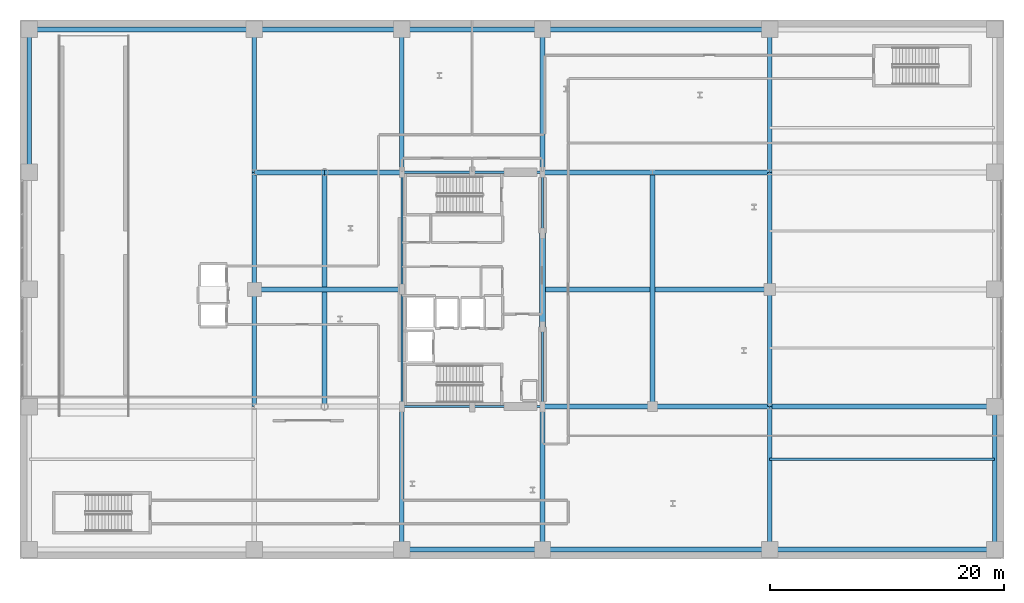
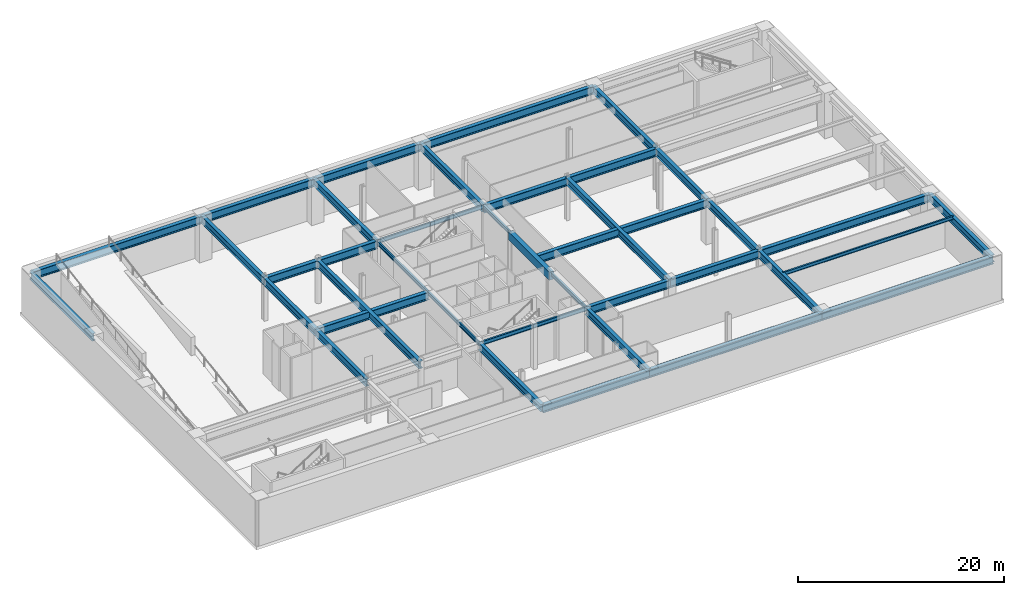
# One storey, part 9 of 25: 41 beams.
"""IFC4 building model written with IfcOpenShell, lengths in metres."""

from ifc_helpers import new_model, si_unit, direction, frame, origin, origin_2d, place, context, subcontext, project, spatial, rectangle, i_section, extrude, material, material_profile, profile_set, type_object, element, save


model = new_model("IFC4")

# Units and contexts
model_context = context("Model", 3, precision=1e-05, world=origin(), true_north=direction((0.0, 1.0)))
body_context = subcontext(model_context, "Body", "Model", "MODEL_VIEW")
ifc_project = project(units=[si_unit("LENGTHUNIT", "METRE"), si_unit("AREAUNIT", "SQUARE_METRE"), si_unit("VOLUMEUNIT", "CUBIC_METRE"), si_unit("PLANEANGLEUNIT", "RADIAN"), si_unit("MASSUNIT", "GRAM", prefix="KILO")], contexts=[model_context])

# Site, building, storey
site_placement = place(None, origin())
site = spatial("IfcSite", under=ifc_project, at=site_placement, CompositionType="ELEMENT")
building_placement = place(site_placement, origin())
building = spatial("IfcBuilding", under=site, at=building_placement, Name="Soratama Intermodal Tower", CompositionType="ELEMENT")
storey_placement = place(building_placement, frame((0.0, 0.0, -5.39990234375)))
storey = spatial("IfcBuildingStorey", under=building, at=storey_placement, Name="B1", CompositionType="ELEMENT", Elevation=-5.39990234375)

# Beams
ifc_material_1 = material(Name="Concrete f'c 56 MPa", Category="concrete")
ifc_material_profile_1 = material_profile(ifc_material_1, rectangle(XDim=0.5, YDim=0.949951171875, at=origin_2d()), Name="RC500X950")
ifc_profile_set_1 = profile_set([ifc_material_profile_1], Name="Concrete f'c 56 MPa")
beam_type_1 = type_object("IfcBeamType", Name="BM-CPL-RC500X950", PredefinedType="BEAM", material=ifc_profile_set_1)
beam_1_placement = place(storey_placement, frame((44.60009765625, 21.800048828125, 4.60498046875), z_axis=(0.0, 1.0, 0.0), x_axis=(-1.0, 0.0, 0.0)))
element("IfcBeam", 1, at=beam_1_placement, inside=storey, type_object=beam_type_1, Name="B1 Core Coupling Beam East", PredefinedType="BEAM", context=body_context, shape_type="SweptSolid", body=[
    extrude(rectangle(XDim=0.5, YDim=0.949951171875, at=origin_2d()), origin(), (0.0, 0.0, 1.0), 8.0),
])
ifc_material_2 = material(Name="Structural steel ASTM A992 Grade 50", Category="steel")
ifc_material_profile_2 = material_profile(ifc_material_2, i_section(OverallWidth=0.19091796875, OverallDepth=0.4599609375, WebThickness=0.010009765625, FlangeThickness=0.01611328125, FilletRadius=0.010986328125, at=origin_2d()), Name="W18X55")
ifc_profile_set_2 = profile_set([ifc_material_profile_2], Name="Structural steel ASTM A992 Grade 50")
beam_type_2 = type_object("IfcBeamType", Name="BM-FLR-W18X55", PredefinedType="BEAM", material=ifc_profile_set_2)
for number, where, z_axis, x_axis, name in (
    (2, (32.60009765625, 15.0, 4.849853515625), (1.0, 0.0, 0.0), (0.0, 1.0, 0.0), "BM-B1-CRING-01"),
    (3, (38.60009765625, 15.0, 4.849853515625), (1.0, 0.0, 0.0), (0.0, 1.0, 0.0), "BM-B1-CRING-02"),
):
    element("IfcBeam", number, at=place(storey_placement, frame(where, z_axis=z_axis, x_axis=x_axis)), inside=storey, type_object=beam_type_2, Name=name, PredefinedType="BEAM", context=body_context, shape_type="SweptSolid", body=[
        extrude(i_section(OverallWidth=0.19091796875, OverallDepth=0.4599609375, WebThickness=0.010009765625, FlangeThickness=0.01611328125, FilletRadius=0.010986328125, at=origin_2d()), origin(), (0.0, 0.0, 1.0), 6.0),
    ])
beam_2_placement = place(storey_placement, frame((44.60009765625, 15.0, 4.849853515625), z_axis=(0.0, 1.0, 0.0), x_axis=(-1.0, 0.0, 0.0)))
element("IfcBeam", 4, at=beam_2_placement, inside=storey, type_object=beam_type_2, Name="BM-B1-CRING-03", PredefinedType="BEAM", context=body_context, shape_type="SweptSolid", body=[
    extrude(i_section(OverallWidth=0.19091796875, OverallDepth=0.4599609375, WebThickness=0.010009765625, FlangeThickness=0.01611328125, FilletRadius=0.010986328125, at=origin_2d()), origin(), (0.0, 0.0, 1.0), 6.800048828125),
])
beam_3_placement = place(storey_placement, frame((44.60009765625, 29.800048828125, 4.849853515625), z_axis=(0.0, 1.0, 0.0), x_axis=(-1.0, 0.0, 0.0)))
element("IfcBeam", 5, at=beam_3_placement, inside=storey, type_object=beam_type_2, Name="BM-B1-CRING-05", PredefinedType="BEAM", context=body_context, shape_type="SweptSolid", body=[
    extrude(i_section(OverallWidth=0.19091796875, OverallDepth=0.4599609375, WebThickness=0.010009765625, FlangeThickness=0.01611328125, FilletRadius=0.010986328125, at=origin_2d()), origin(), (0.0, 0.0, 1.0), 5.199951171875),
])
for number, where, z_axis, x_axis, name in (
    (6, (44.60009765625, 35.0, 4.849853515625), (-1.0, 0.0, 0.0), (0.0, -1.0, 0.0), "BM-B1-CRING-06"),
    (7, (38.60009765625, 35.0, 4.849853515625), (-1.0, 0.0, 0.0), (0.0, -1.0, 0.0), "BM-B1-CRING-07"),
):
    element("IfcBeam", number, at=place(storey_placement, frame(where, z_axis=z_axis, x_axis=x_axis)), inside=storey, type_object=beam_type_2, Name=name, PredefinedType="BEAM", context=body_context, shape_type="SweptSolid", body=[
        extrude(i_section(OverallWidth=0.19091796875, OverallDepth=0.4599609375, WebThickness=0.010009765625, FlangeThickness=0.01611328125, FilletRadius=0.010986328125, at=origin_2d()), origin(), (0.0, 0.0, 1.0), 6.0),
    ])
for number, where, z_axis, x_axis, name in (
    (8, (32.60009765625, 35.0, 4.849853515625), (0.0, -1.0, 0.0), (1.0, 0.0, 0.0), "BM-B1-CRING-08"),
    (9, (32.60009765625, 25.0, 4.849853515625), (0.0, -1.0, 0.0), (1.0, 0.0, 0.0), "BM-B1-CRING-09"),
):
    element("IfcBeam", number, at=place(storey_placement, frame(where, z_axis=z_axis, x_axis=x_axis)), inside=storey, type_object=beam_type_2, Name=name, PredefinedType="BEAM", context=body_context, shape_type="SweptSolid", body=[
        extrude(i_section(OverallWidth=0.19091796875, OverallDepth=0.4599609375, WebThickness=0.010009765625, FlangeThickness=0.01611328125, FilletRadius=0.010986328125, at=origin_2d()), origin(), (0.0, 0.0, 1.0), 10.0),
    ])
ifc_material_3 = material(Name="Structural steel ASTM A992 Grade 50", Category="steel")
ifc_material_profile_3 = material_profile(ifc_material_3, i_section(OverallWidth=0.177978515625, OverallDepth=0.406982421875, WebThickness=0.0078125, FlangeThickness=0.0126953125, FilletRadius=0.010009765625, at=origin_2d()), Name="W16X40")
ifc_profile_set_3 = profile_set([ifc_material_profile_3], Name="Structural steel ASTM A992 Grade 50")
beam_type_3 = type_object("IfcBeamType", Name="BM-JST-W16X40", PredefinedType="JOIST", material=ifc_profile_set_3)
beam_4_placement = place(storey_placement, frame((64.0, 10.5, 4.87646484375), z_axis=(1.0, 0.0, 0.0), x_axis=(0.0, 1.0, 0.0)))
element("IfcBeam", 10, at=beam_4_placement, inside=storey, type_object=beam_type_3, Name="JST-B1-E1", PredefinedType="JOIST", context=body_context, shape_type="SweptSolid", body=[
    extrude(i_section(OverallWidth=0.177978515625, OverallDepth=0.406982421875, WebThickness=0.0078125, FlangeThickness=0.0126953125, FilletRadius=0.010009765625, at=origin_2d()), origin(), (0.0, 0.0, 1.0), 19.199951171875),
])
ifc_material_4 = material(Name="Structural steel ASTM A992 Grade 50", Category="steel")
ifc_material_profile_4 = material_profile(ifc_material_4, i_section(OverallWidth=0.403076171875, OverallDepth=0.867919921875, WebThickness=0.02099609375, FlangeThickness=0.03564453125, FilletRadius=0.01806640625, at=origin_2d()), Name="W33X241")
ifc_profile_set_4 = profile_set([ifc_material_profile_4], Name="Structural steel ASTM A992 Grade 50")
beam_type_4 = type_object("IfcBeamType", Name="BM-POD-EXT-W33", PredefinedType="BEAM", material=ifc_profile_set_4)
for number, where, z_axis, x_axis, name in (
    (11, (0.800048828125, 35.0, 4.64599609375), (0.0, 1.0, 0.0), (-1.0, 0.0, 0.0), "B1 Station Girder Y1-4"),
    (12, (83.199951171875, 2.800048828125, 4.64599609375), (0.0, 1.0, 0.0), (-1.0, 0.0, 0.0), "B1 Station Girder Y4-1"),
):
    element("IfcBeam", number, at=place(storey_placement, frame(where, z_axis=z_axis, x_axis=x_axis)), inside=storey, type_object=beam_type_4, Name=name, PredefinedType="BEAM", context=body_context, shape_type="SweptSolid", body=[
        extrude(i_section(OverallWidth=0.403076171875, OverallDepth=0.867919921875, WebThickness=0.02099609375, FlangeThickness=0.03564453125, FilletRadius=0.01806640625, at=origin_2d()), origin(), (0.0, 0.0, 1.0), 12.199951171875),
    ])
ifc_material_5 = material(Name="Structural steel ASTM A992 Grade 50", Category="steel")
ifc_material_profile_5 = material_profile(ifc_material_5, i_section(OverallWidth=0.423095703125, OverallDepth=0.93896484375, WebThickness=0.02392578125, FlangeThickness=0.042724609375, FilletRadius=0.02392578125, at=origin_2d()), Name="W36X302")
ifc_profile_set_5 = profile_set([ifc_material_profile_5], Name="Structural steel ASTM A992 Grade 50")
beam_type_5 = type_object("IfcBeamType", Name="BM-POD-EXT-W36", PredefinedType="BEAM", material=ifc_profile_set_5)
beam_5_placement = place(storey_placement, frame((32.60009765625, 2.800048828125, 4.6103515625), z_axis=(1.0, 0.0, 0.0), x_axis=(0.0, 1.0, 0.0)))
element("IfcBeam", 13, at=beam_5_placement, inside=storey, type_object=beam_type_5, Name="B1 Station Girder X1-3", PredefinedType="BEAM", context=body_context, shape_type="SweptSolid", body=[
    extrude(i_section(OverallWidth=0.423095703125, OverallDepth=0.93896484375, WebThickness=0.02392578125, FlangeThickness=0.042724609375, FilletRadius=0.02392578125, at=origin_2d()), origin(), (0.0, 0.0, 1.0), 12.0),
])
beam_6_placement = place(storey_placement, frame((44.60009765625, 2.800048828125, 4.6103515625), z_axis=(1.0, 0.0, 0.0), x_axis=(0.0, 1.0, 0.0)))
element("IfcBeam", 14, at=beam_6_placement, inside=storey, type_object=beam_type_5, Name="B1 Station Girder X1-4", PredefinedType="BEAM", context=body_context, shape_type="SweptSolid", body=[
    extrude(i_section(OverallWidth=0.423095703125, OverallDepth=0.93896484375, WebThickness=0.02392578125, FlangeThickness=0.042724609375, FilletRadius=0.02392578125, at=origin_2d()), origin(), (0.0, 0.0, 1.0), 19.39990234375),
])
for number, where, z_axis, x_axis, name in (
    (15, (64.0, 2.800048828125, 4.6103515625), (1.0, 0.0, 0.0), (0.0, 1.0, 0.0), "B1 Station Girder X1-5"),
    (16, (0.800048828125, 47.199951171875, 4.6103515625), (1.0, 0.0, 0.0), (0.0, 1.0, 0.0), "B1 Station Girder X5-1"),
):
    element("IfcBeam", number, at=place(storey_placement, frame(where, z_axis=z_axis, x_axis=x_axis)), inside=storey, type_object=beam_type_5, Name=name, PredefinedType="BEAM", context=body_context, shape_type="SweptSolid", body=[
        extrude(i_section(OverallWidth=0.423095703125, OverallDepth=0.93896484375, WebThickness=0.02392578125, FlangeThickness=0.042724609375, FilletRadius=0.02392578125, at=origin_2d()), origin(), (0.0, 0.0, 1.0), 19.199951171875),
    ])
beam_7_placement = place(storey_placement, frame((20.0, 47.199951171875, 4.6103515625), z_axis=(1.0, 0.0, 0.0), x_axis=(0.0, 1.0, 0.0)))
element("IfcBeam", 17, at=beam_7_placement, inside=storey, type_object=beam_type_5, Name="B1 Station Girder X5-2", PredefinedType="BEAM", context=body_context, shape_type="SweptSolid", body=[
    extrude(i_section(OverallWidth=0.423095703125, OverallDepth=0.93896484375, WebThickness=0.02392578125, FlangeThickness=0.042724609375, FilletRadius=0.02392578125, at=origin_2d()), origin(), (0.0, 0.0, 1.0), 12.60009765625),
])
beam_8_placement = place(storey_placement, frame((32.60009765625, 47.199951171875, 4.6103515625), z_axis=(1.0, 0.0, 0.0), x_axis=(0.0, 1.0, 0.0)))
element("IfcBeam", 18, at=beam_8_placement, inside=storey, type_object=beam_type_5, Name="B1 Station Girder X5-3", PredefinedType="BEAM", context=body_context, shape_type="SweptSolid", body=[
    extrude(i_section(OverallWidth=0.423095703125, OverallDepth=0.93896484375, WebThickness=0.02392578125, FlangeThickness=0.042724609375, FilletRadius=0.02392578125, at=origin_2d()), origin(), (0.0, 0.0, 1.0), 12.0),
])
beam_9_placement = place(storey_placement, frame((44.60009765625, 47.199951171875, 4.6103515625), z_axis=(1.0, 0.0, 0.0), x_axis=(0.0, 1.0, 0.0)))
element("IfcBeam", 19, at=beam_9_placement, inside=storey, type_object=beam_type_5, Name="B1 Station Girder X5-4", PredefinedType="BEAM", context=body_context, shape_type="SweptSolid", body=[
    extrude(i_section(OverallWidth=0.423095703125, OverallDepth=0.93896484375, WebThickness=0.02392578125, FlangeThickness=0.042724609375, FilletRadius=0.02392578125, at=origin_2d()), origin(), (0.0, 0.0, 1.0), 19.39990234375),
])
ifc_material_6 = material(Name="Structural steel ASTM A992 Grade 50", Category="steel")
ifc_material_profile_6 = material_profile(ifc_material_6, i_section(OverallWidth=0.403076171875, OverallDepth=0.867919921875, WebThickness=0.02099609375, FlangeThickness=0.03564453125, FilletRadius=0.01806640625, at=origin_2d()), Name="W33X241")
ifc_profile_set_6 = profile_set([ifc_material_profile_6], Name="Structural steel ASTM A992 Grade 50")
beam_type_6 = type_object("IfcBeamType", Name="BM-POD-W33X241", PredefinedType="BEAM", material=ifc_profile_set_6)
for number, where, z_axis, x_axis, name in (
    (20, (20.0, 15.0, 4.64599609375), (0.0, 1.0, 0.0), (-1.0, 0.0, 0.0), "B1 Station Girder Y2-2"),
    (21, (20.0, 25.0, 4.64599609375), (0.0, 1.0, 0.0), (-1.0, 0.0, 0.0), "B1 Station Girder Y2-3"),
):
    element("IfcBeam", number, at=place(storey_placement, frame(where, z_axis=z_axis, x_axis=x_axis)), inside=storey, type_object=beam_type_6, Name=name, PredefinedType="BEAM", context=body_context, shape_type="SweptSolid", body=[
        extrude(i_section(OverallWidth=0.403076171875, OverallDepth=0.867919921875, WebThickness=0.02099609375, FlangeThickness=0.03564453125, FilletRadius=0.01806640625, at=origin_2d()), origin(), (0.0, 0.0, 1.0), 10.0),
    ])
for number, where, z_axis, x_axis, name in (
    (22, (20.0, 35.0, 4.64599609375), (0.0, 1.0, 0.0), (-1.0, 0.0, 0.0), "B1 Station Girder Y2-4"),
    (23, (64.0, 2.800048828125, 4.64599609375), (0.0, 1.0, 0.0), (-1.0, 0.0, 0.0), "B1 Station Girder Y3-1"),
):
    element("IfcBeam", number, at=place(storey_placement, frame(where, z_axis=z_axis, x_axis=x_axis)), inside=storey, type_object=beam_type_6, Name=name, PredefinedType="BEAM", context=body_context, shape_type="SweptSolid", body=[
        extrude(i_section(OverallWidth=0.403076171875, OverallDepth=0.867919921875, WebThickness=0.02099609375, FlangeThickness=0.03564453125, FilletRadius=0.01806640625, at=origin_2d()), origin(), (0.0, 0.0, 1.0), 12.199951171875),
    ])
for number, where, z_axis, x_axis, name in (
    (24, (64.0, 15.0, 4.64599609375), (0.0, 1.0, 0.0), (-1.0, 0.0, 0.0), "B1 Station Girder Y3-2"),
    (25, (64.0, 25.0, 4.64599609375), (0.0, 1.0, 0.0), (-1.0, 0.0, 0.0), "B1 Station Girder Y3-3"),
):
    element("IfcBeam", number, at=place(storey_placement, frame(where, z_axis=z_axis, x_axis=x_axis)), inside=storey, type_object=beam_type_6, Name=name, PredefinedType="BEAM", context=body_context, shape_type="SweptSolid", body=[
        extrude(i_section(OverallWidth=0.403076171875, OverallDepth=0.867919921875, WebThickness=0.02099609375, FlangeThickness=0.03564453125, FilletRadius=0.01806640625, at=origin_2d()), origin(), (0.0, 0.0, 1.0), 10.0),
    ])
for number, where, z_axis, x_axis, name in (
    (26, (64.0, 35.0, 4.64599609375), (0.0, 1.0, 0.0), (-1.0, 0.0, 0.0), "B1 Station Girder Y3-4"),
    (27, (32.60009765625, 2.800048828125, 4.64599609375), (0.0, 1.0, 0.0), (-1.0, 0.0, 0.0), "BM-B1-GYC-1-1"),
    (28, (32.60009765625, 35.0, 4.64599609375), (0.0, 1.0, 0.0), (-1.0, 0.0, 0.0), "BM-B1-GYC-1-2"),
    (29, (44.60009765625, 2.800048828125, 4.64599609375), (0.0, 1.0, 0.0), (-1.0, 0.0, 0.0), "BM-B1-GYC-2-1"),
    (30, (44.60009765625, 35.0, 4.64599609375), (0.0, 1.0, 0.0), (-1.0, 0.0, 0.0), "BM-B1-GYC-2-2"),
):
    element("IfcBeam", number, at=place(storey_placement, frame(where, z_axis=z_axis, x_axis=x_axis)), inside=storey, type_object=beam_type_6, Name=name, PredefinedType="BEAM", context=body_context, shape_type="SweptSolid", body=[
        extrude(i_section(OverallWidth=0.403076171875, OverallDepth=0.867919921875, WebThickness=0.02099609375, FlangeThickness=0.03564453125, FilletRadius=0.01806640625, at=origin_2d()), origin(), (0.0, 0.0, 1.0), 12.199951171875),
    ])
for number, where, z_axis, x_axis, name in (
    (31, (26.0, 15.0, 4.64599609375), (0.0, 1.0, 0.0), (-1.0, 0.0, 0.0), "BM-B1-GYS-1"),
    (32, (54.0, 15.0, 4.64599609375), (0.0, 1.0, 0.0), (-1.0, 0.0, 0.0), "BM-B1-GYS-2"),
):
    element("IfcBeam", number, at=place(storey_placement, frame(where, z_axis=z_axis, x_axis=x_axis)), inside=storey, type_object=beam_type_6, Name=name, PredefinedType="BEAM", context=body_context, shape_type="SweptSolid", body=[
        extrude(i_section(OverallWidth=0.403076171875, OverallDepth=0.867919921875, WebThickness=0.02099609375, FlangeThickness=0.03564453125, FilletRadius=0.01806640625, at=origin_2d()), origin(), (0.0, 0.0, 1.0), 20.0),
    ])
ifc_material_7 = material(Name="Structural steel ASTM A992 Grade 50", Category="steel")
ifc_material_profile_7 = material_profile(ifc_material_7, i_section(OverallWidth=0.423095703125, OverallDepth=0.93896484375, WebThickness=0.02392578125, FlangeThickness=0.042724609375, FilletRadius=0.02392578125, at=origin_2d()), Name="W36X302")
ifc_profile_set_7 = profile_set([ifc_material_profile_7], Name="Structural steel ASTM A992 Grade 50")
beam_type_7 = type_object("IfcBeamType", Name="BM-POD-W36X302", PredefinedType="BEAM", material=ifc_profile_set_7)
beam_10_placement = place(storey_placement, frame((44.60009765625, 15.0, 4.6103515625), z_axis=(1.0, 0.0, 0.0), x_axis=(0.0, 1.0, 0.0)))
element("IfcBeam", 33, at=beam_10_placement, inside=storey, type_object=beam_type_7, Name="B1 Station Girder X2-4", PredefinedType="BEAM", context=body_context, shape_type="SweptSolid", body=[
    extrude(i_section(OverallWidth=0.423095703125, OverallDepth=0.93896484375, WebThickness=0.02392578125, FlangeThickness=0.042724609375, FilletRadius=0.02392578125, at=origin_2d()), origin(), (0.0, 0.0, 1.0), 9.39990234375),
])
beam_11_placement = place(storey_placement, frame((54.0, 15.0, 4.6103515625), z_axis=(1.0, 0.0, 0.0), x_axis=(0.0, 1.0, 0.0)))
element("IfcBeam", 34, at=beam_11_placement, inside=storey, type_object=beam_type_7, Name="B1 Station Girder X2-5", PredefinedType="BEAM", context=body_context, shape_type="SweptSolid", body=[
    extrude(i_section(OverallWidth=0.423095703125, OverallDepth=0.93896484375, WebThickness=0.02392578125, FlangeThickness=0.042724609375, FilletRadius=0.02392578125, at=origin_2d()), origin(), (0.0, 0.0, 1.0), 10.0),
])
beam_12_placement = place(storey_placement, frame((64.0, 15.0, 4.6103515625), z_axis=(1.0, 0.0, 0.0), x_axis=(0.0, 1.0, 0.0)))
element("IfcBeam", 35, at=beam_12_placement, inside=storey, type_object=beam_type_7, Name="B1 Station Girder X2-6", PredefinedType="BEAM", context=body_context, shape_type="SweptSolid", body=[
    extrude(i_section(OverallWidth=0.423095703125, OverallDepth=0.93896484375, WebThickness=0.02392578125, FlangeThickness=0.042724609375, FilletRadius=0.02392578125, at=origin_2d()), origin(), (0.0, 0.0, 1.0), 19.199951171875),
])
beam_13_placement = place(storey_placement, frame((20.0, 25.0, 4.6103515625), z_axis=(1.0, 0.0, 0.0), x_axis=(0.0, 1.0, 0.0)))
element("IfcBeam", 36, at=beam_13_placement, inside=storey, type_object=beam_type_7, Name="B1 Station Girder X3-1", PredefinedType="BEAM", context=body_context, shape_type="SweptSolid", body=[
    extrude(i_section(OverallWidth=0.423095703125, OverallDepth=0.93896484375, WebThickness=0.02392578125, FlangeThickness=0.042724609375, FilletRadius=0.02392578125, at=origin_2d()), origin(), (0.0, 0.0, 1.0), 12.60009765625),
])
beam_14_placement = place(storey_placement, frame((44.60009765625, 25.0, 4.6103515625), z_axis=(1.0, 0.0, 0.0), x_axis=(0.0, 1.0, 0.0)))
element("IfcBeam", 37, at=beam_14_placement, inside=storey, type_object=beam_type_7, Name="B1 Station Girder X3-2", PredefinedType="BEAM", context=body_context, shape_type="SweptSolid", body=[
    extrude(i_section(OverallWidth=0.423095703125, OverallDepth=0.93896484375, WebThickness=0.02392578125, FlangeThickness=0.042724609375, FilletRadius=0.02392578125, at=origin_2d()), origin(), (0.0, 0.0, 1.0), 19.39990234375),
])
beam_15_placement = place(storey_placement, frame((20.0, 35.0, 4.6103515625), z_axis=(1.0, 0.0, 0.0), x_axis=(0.0, 1.0, 0.0)))
element("IfcBeam", 38, at=beam_15_placement, inside=storey, type_object=beam_type_7, Name="B1 Station Girder X4-1", PredefinedType="BEAM", context=body_context, shape_type="SweptSolid", body=[
    extrude(i_section(OverallWidth=0.423095703125, OverallDepth=0.93896484375, WebThickness=0.02392578125, FlangeThickness=0.042724609375, FilletRadius=0.02392578125, at=origin_2d()), origin(), (0.0, 0.0, 1.0), 6.0),
])
beam_16_placement = place(storey_placement, frame((26.0, 35.0, 4.6103515625), z_axis=(1.0, 0.0, 0.0), x_axis=(0.0, 1.0, 0.0)))
element("IfcBeam", 39, at=beam_16_placement, inside=storey, type_object=beam_type_7, Name="B1 Station Girder X4-2", PredefinedType="BEAM", context=body_context, shape_type="SweptSolid", body=[
    extrude(i_section(OverallWidth=0.423095703125, OverallDepth=0.93896484375, WebThickness=0.02392578125, FlangeThickness=0.042724609375, FilletRadius=0.02392578125, at=origin_2d()), origin(), (0.0, 0.0, 1.0), 6.60009765625),
])
beam_17_placement = place(storey_placement, frame((44.60009765625, 35.0, 4.6103515625), z_axis=(1.0, 0.0, 0.0), x_axis=(0.0, 1.0, 0.0)))
element("IfcBeam", 40, at=beam_17_placement, inside=storey, type_object=beam_type_7, Name="B1 Station Girder X4-3", PredefinedType="BEAM", context=body_context, shape_type="SweptSolid", body=[
    extrude(i_section(OverallWidth=0.423095703125, OverallDepth=0.93896484375, WebThickness=0.02392578125, FlangeThickness=0.042724609375, FilletRadius=0.02392578125, at=origin_2d()), origin(), (0.0, 0.0, 1.0), 9.39990234375),
])
beam_18_placement = place(storey_placement, frame((54.0, 35.0, 4.6103515625), z_axis=(1.0, 0.0, 0.0), x_axis=(0.0, 1.0, 0.0)))
element("IfcBeam", 41, at=beam_18_placement, inside=storey, type_object=beam_type_7, Name="B1 Station Girder X4-4", PredefinedType="BEAM", context=body_context, shape_type="SweptSolid", body=[
    extrude(i_section(OverallWidth=0.423095703125, OverallDepth=0.93896484375, WebThickness=0.02392578125, FlangeThickness=0.042724609375, FilletRadius=0.02392578125, at=origin_2d()), origin(), (0.0, 0.0, 1.0), 10.0),
])

save(model, "model.ifc")
